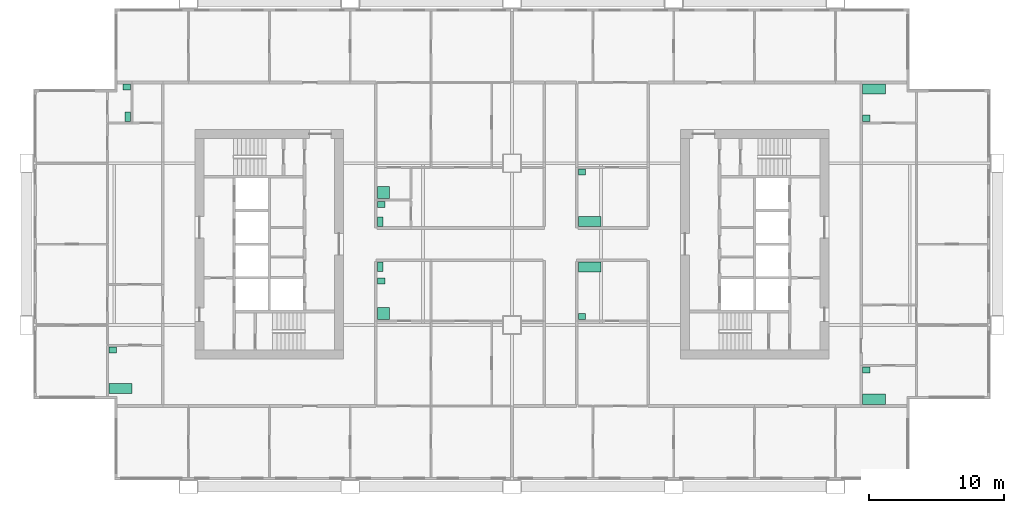
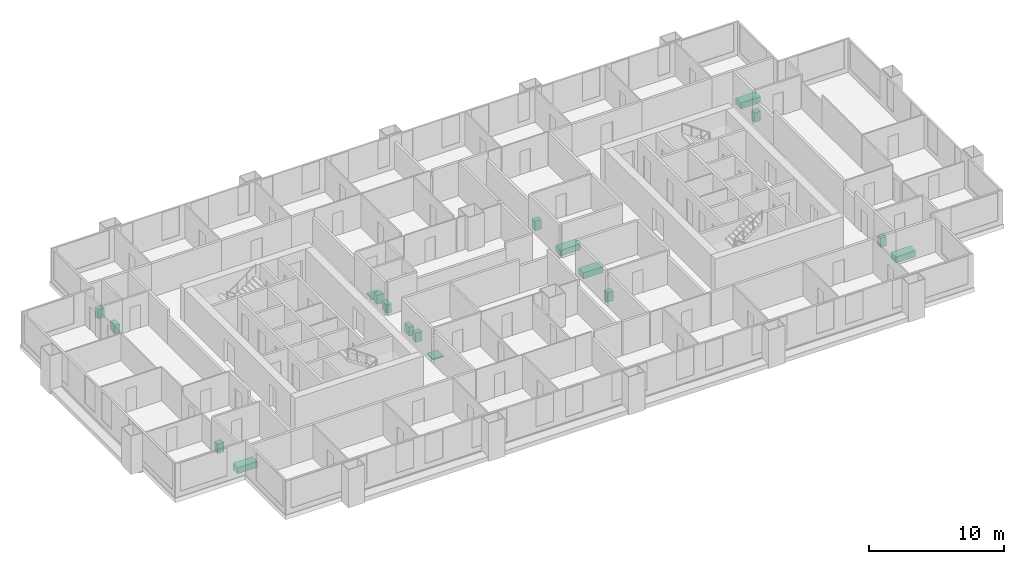
# One storey, part 12 of 12: 18 sanitary terminals.
"""IFC4 building model written with IfcOpenShell, lengths in metres."""

from ifc_helpers import new_model, si_unit, direction, frame, origin, origin_2d, place, context, subcontext, project, spatial, rectangle, extrude, material, type_object, element, save


model = new_model("IFC4")

# Units and contexts
model_context = context("Model", 3, precision=1e-05, world=origin(), true_north=direction((0.0, 1.0)))
body_context = subcontext(model_context, "Body", "Model", "MODEL_VIEW")
ifc_project = project(units=[si_unit("LENGTHUNIT", "METRE"), si_unit("AREAUNIT", "SQUARE_METRE"), si_unit("VOLUMEUNIT", "CUBIC_METRE"), si_unit("PLANEANGLEUNIT", "RADIAN"), si_unit("MASSUNIT", "GRAM", prefix="KILO")], contexts=[model_context])

# Site, building, storey
site_placement = place(None, origin())
site = spatial("IfcSite", under=ifc_project, at=site_placement, CompositionType="ELEMENT")
building_placement = place(site_placement, origin())
building = spatial("IfcBuilding", under=site, at=building_placement, Name="Kitamizu Gate Tower and Museum", CompositionType="ELEMENT")
storey_placement = place(building_placement, frame((0.0, 0.0, 134.550048828125)))
storey = spatial("IfcBuildingStorey", under=building, at=storey_placement, Name="L35", CompositionType="ELEMENT", Elevation=134.550048828125)

# Sanitary terminals
ifc_material_1 = material(Name="Acrylic")
sanitary_terminal_type_1 = type_object("IfcSanitaryTerminalType", Name="Bath", PredefinedType="BATH", material=ifc_material_1)
for number, where, z_axis, x_axis, name in (
    (1, (41.77001953125, 28.304931640625, 0.0009765625), (0.0, 0.0, 1.0), (1.0, 0.0, 0.0), "Bath Bathroom and WC 35B"),
    (2, (6.969970703125, 19.294921875, 0.0009765625), (0.0, 0.0, 1.0), (1.0, 0.0, 0.0), "Bath Bathroom 35D"),
    (3, (41.77001953125, 31.695068359375, 0.0009765625), (0.0, 0.0, 1.0), (1.0, 0.0, 0.0), "Bath Bathroom and WC 35E"),
    (4, (62.8701171875, 18.4951171875, 0.0009765625), (0.0, 0.0, 1.0), (1.0, 0.0, 0.0), "Bath Bathroom and WC 35F"),
    (5, (62.8701171875, 41.5048828125, 0.0009765625), (0.0, 0.0, 1.0), (1.0, 0.0, 0.0), "Bath Bathroom 35F"),
):
    element("IfcSanitaryTerminal", number, at=place(storey_placement, frame(where, z_axis=z_axis, x_axis=x_axis)), inside=storey, type_object=sanitary_terminal_type_1, Name=name, PredefinedType="BATH", context=body_context, shape_type="SweptSolid", body=[
        extrude(rectangle(XDim=1.699951171875, YDim=0.75, at=origin_2d()), origin(), (0.0, 0.0, 1.0), 0.550048828125),
    ])
ifc_material_2 = material(Name="Acrylic")
sanitary_terminal_type_2 = type_object("IfcSanitaryTerminalType", Name="Shower tray", PredefinedType="SHOWER", material=ifc_material_2)
for number, where, z_axis, x_axis, name in (
    (6, (26.469970703125, 24.8701171875, 0.0009765625), (0.0, 0.0, 1.0), (1.0, 0.0, 0.0), "Shower tray En-suite bathroom and WC 35A"),
    (7, (26.469970703125, 33.846923828125, 0.0009765625), (0.0, 0.0, 1.0), (1.0, 0.0, 0.0), "Shower tray Shower room 35C"),
):
    element("IfcSanitaryTerminal", number, at=place(storey_placement, frame(where, z_axis=z_axis, x_axis=x_axis)), inside=storey, type_object=sanitary_terminal_type_2, Name=name, PredefinedType="SHOWER", context=body_context, shape_type="SweptSolid", body=[
        extrude(rectangle(XDim=0.89990234375, YDim=0.89990234375, at=origin_2d()), origin(), (0.0, 0.0, 1.0), 0.10009765625),
    ])
ifc_material_3 = material(Name="Vitreous china")
sanitary_terminal_type_3 = type_object("IfcSanitaryTerminalType", Name="Wash hand basin", PredefinedType="WASHHANDBASIN", material=ifc_material_3)
for number, where, z_axis, x_axis, name in (
    (8, (26.294921875, 27.2548828125, 0.0009765625), (0.0, 0.0, 1.0), (1.0, 0.0, 0.0), "Wash hand basin En-suite bathroom and WC 35A"),
    (9, (41.195068359375, 24.64501953125, 0.0009765625), (0.0, 0.0, 1.0), (1.0, 0.0, 0.0), "Wash hand basin Bathroom and WC 35B"),
    (10, (26.294921875, 32.931884765625, 0.0009765625), (0.0, 0.0, 1.0), (1.0, 0.0, 0.0), "Wash hand basin WC 35C"),
    (11, (6.39501953125, 22.155029296875, 0.0009765625), (0.0, 0.0, 1.0), (1.0, 0.0, 0.0), "Wash hand basin Bathroom 35D"),
    (12, (7.405029296875, 41.655029296875, 0.0009765625), (0.0, 0.0, 1.0), (1.0, 0.0, 0.0), "Wash hand basin WC 35D"),
    (13, (41.195068359375, 35.35498046875, 0.0009765625), (0.0, 0.0, 1.0), (1.0, 0.0, 0.0), "Wash hand basin Bathroom and WC 35E"),
    (14, (62.294921875, 20.655029296875, 0.0009765625), (0.0, 0.0, 1.0), (1.0, 0.0, 0.0), "Wash hand basin Bathroom and WC 35F"),
    (15, (62.294921875, 39.344970703125, 0.0009765625), (0.0, 0.0, 1.0), (1.0, 0.0, 0.0), "Wash hand basin Bathroom 35F"),
):
    element("IfcSanitaryTerminal", number, at=place(storey_placement, frame(where, z_axis=z_axis, x_axis=x_axis)), inside=storey, type_object=sanitary_terminal_type_3, Name=name, PredefinedType="WASHHANDBASIN", context=body_context, shape_type="SweptSolid", body=[
        extrude(rectangle(XDim=0.550048828125, YDim=0.449951171875, at=origin_2d()), origin(), (0.0, 0.0, 1.0), 0.85009765625),
    ])
ifc_material_4 = material(Name="Vitreous china")
sanitary_terminal_type_4 = type_object("IfcSanitaryTerminalType", Name="Water closet", PredefinedType="TOILETPAN", material=ifc_material_4)
for number, where, z_axis, x_axis, name in (
    (16, (26.219970703125, 28.330078125, 0.0009765625), (0.0, 0.0, 1.0), (1.0, 0.0, 0.0), "Water closet En-suite bathroom and WC 35A"),
    (17, (26.219970703125, 31.669921875, 0.0009765625), (0.0, 0.0, 1.0), (1.0, 0.0, 0.0), "Water closet WC 35C"),
    (18, (7.47998046875, 39.469970703125, 0.0009765625), (0.0, 0.0, 1.0), (1.0, 0.0, 0.0), "Water closet WC 35D"),
):
    element("IfcSanitaryTerminal", number, at=place(storey_placement, frame(where, z_axis=z_axis, x_axis=x_axis)), inside=storey, type_object=sanitary_terminal_type_4, Name=name, PredefinedType="TOILETPAN", context=body_context, shape_type="SweptSolid", body=[
        extrude(rectangle(XDim=0.39990234375, YDim=0.699951171875, at=origin_2d()), origin(), (0.0, 0.0, 1.0), 0.800048828125),
    ])

save(model, "model.ifc")
